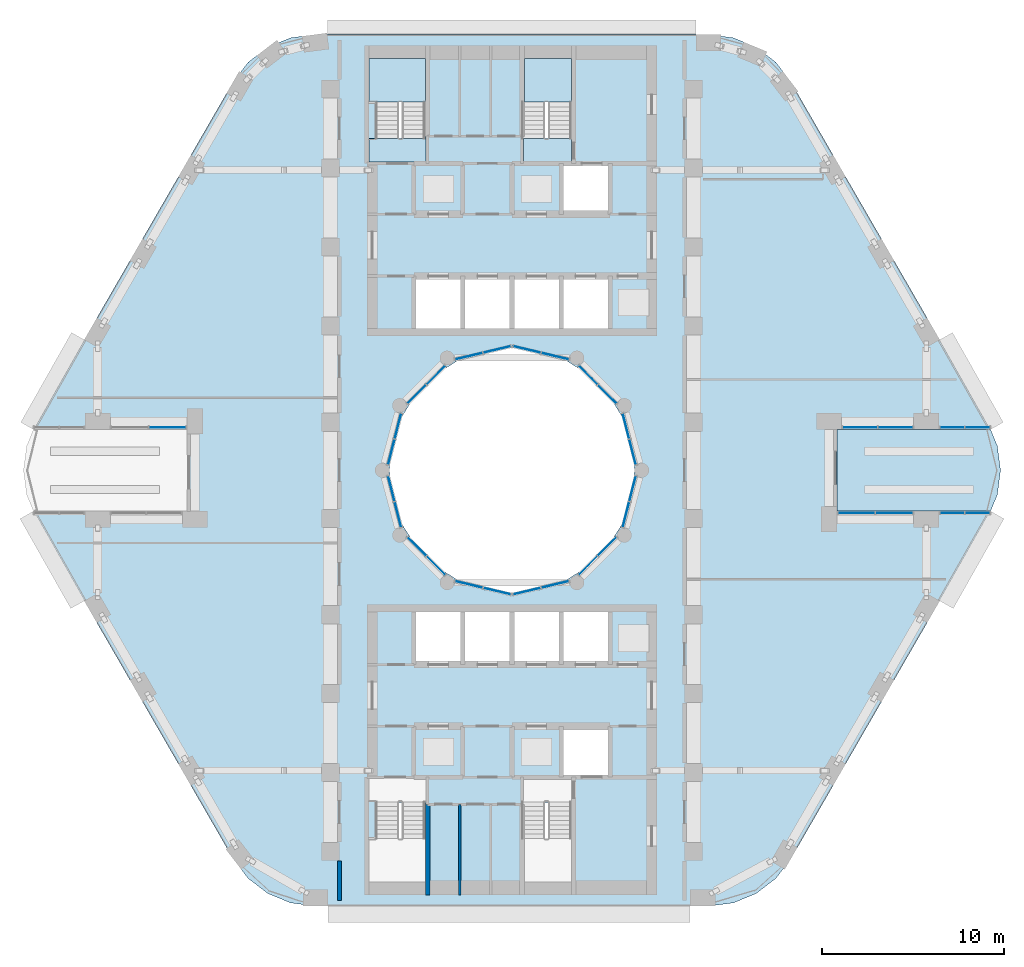
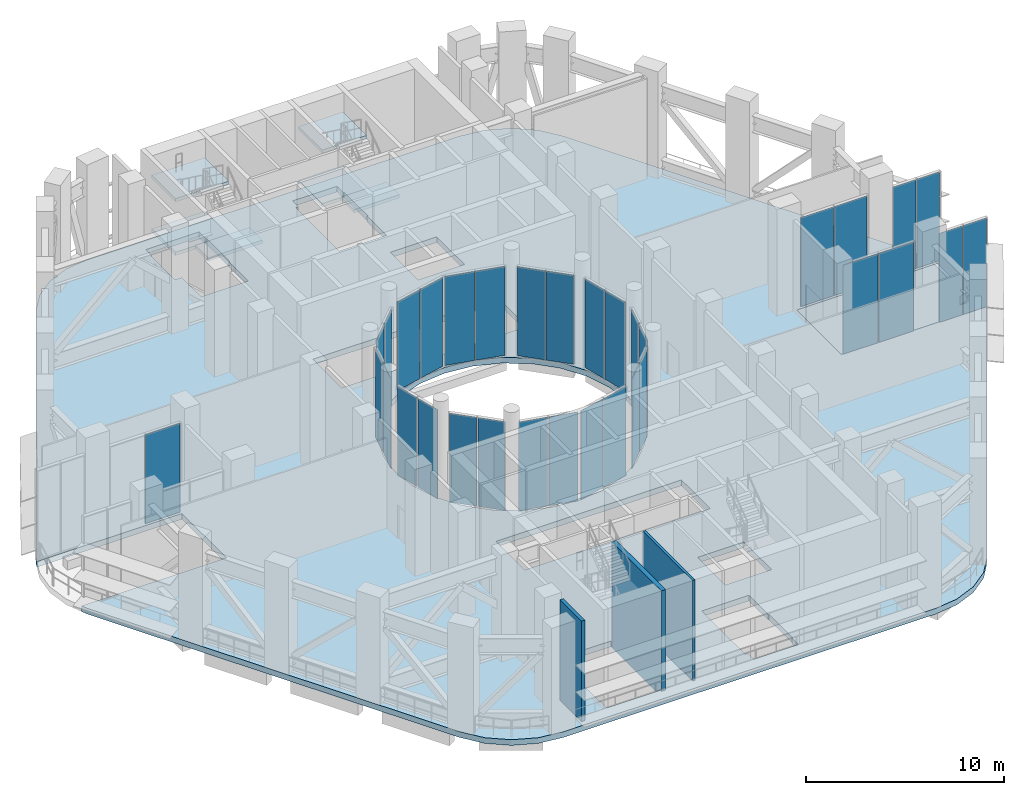
# One storey, part 7 of 21: 33 plates, 8 slabs, 3 walls, 19 elements without a shape of their own.
"""IFC4 building model written with IfcOpenShell, lengths in metres."""

from ifc_helpers import new_model, si_unit, direction, frame, frame_2d, origin, origin_2d, place, context, subcontext, project, spatial, polyline, rectangle, outline, extrude, material, layer, layer_set, type_object, element, aggregate, save


model = new_model("IFC4")

# Units and contexts
model_context = context("Model", 3, precision=1e-05, world=origin(), true_north=direction((0.0, 1.0)))
body_context = subcontext(model_context, "Body", "Model", "MODEL_VIEW")
ifc_project = project(units=[si_unit("LENGTHUNIT", "METRE"), si_unit("AREAUNIT", "SQUARE_METRE"), si_unit("VOLUMEUNIT", "CUBIC_METRE"), si_unit("PLANEANGLEUNIT", "RADIAN"), si_unit("MASSUNIT", "GRAM", prefix="KILO")], contexts=[model_context])

# Site, building, storey
site_placement = place(None, origin())
site = spatial("IfcSite", under=ifc_project, at=site_placement, CompositionType="ELEMENT")
building_placement = place(site_placement, origin())
building = spatial("IfcBuilding", under=site, at=building_placement, Name="Nakaniwa Court", CompositionType="ELEMENT")
storey_placement = place(building_placement, frame((0.0, 0.0, 120.60009765625)))
storey = spatial("IfcBuildingStorey", under=building, at=storey_placement, Name="S2", CompositionType="ELEMENT", Elevation=120.60009765625)

# Curtain wall, plates
ifc_material_1 = material(Name="Black anodised aluminium frame with dark low-E laminated double glazing", Category="aluminium")
ifc_layer_1 = layer(ifc_material_1, 0.199951171875)
ifc_layer_set_1 = layer_set([ifc_layer_1], Name="Black anodised aluminium frame with dark low-E laminated double glazing")
curtain_wall_type = type_object("IfcCurtainWallType", Name="Amenity and sky level curtain wall", PredefinedType="NOTDEFINED", material=ifc_layer_set_1)
curtain_wall_1_placement = place(storey_placement, origin())
curtain_wall_1 = element("IfcCurtainWall", 1, at=curtain_wall_1_placement, inside=storey, type_object=curtain_wall_type, Name="S2 curtain wall CW3 36", PredefinedType="NOTDEFINED")
ifc_material_2 = material(Name="Dark toughened glass", Category="glass")
ifc_layer_2 = layer(ifc_material_2, 0.006, Name="Outer pane")
ifc_material_3 = material(Name="Argon filled cavity")
ifc_layer_3 = layer(ifc_material_3, 0.016, Name="Cavity")
ifc_material_4 = material(Name="Dark laminated safety glass", Category="glass")
ifc_layer_4 = layer(ifc_material_4, 0.006, Name="Inner pane")
ifc_layer_set_2 = layer_set([ifc_layer_2, ifc_layer_3, ifc_layer_4], Name="Dark low-E laminated double glazing")
plate_type = type_object("IfcPlateType", Name="Amenity and sky level curtain wall glass panel", PredefinedType="CURTAIN_PANEL", material=ifc_layer_set_2)
plate_1_placement = place(storey_placement, frame((86.64697265625, 78.99365234375, 0.054931640625), z_axis=(0.0, 0.0, 1.0), x_axis=(-0.247113807661, -0.968986463302, 0.0)))
plate_1 = element("IfcPlate", 2, at=plate_1_placement, type_object=plate_type, Name="CW3 panel 1.1", PredefinedType="CURTAIN_PANEL", context=body_context, shape_type="SweptSolid", body=[
    extrude(rectangle(XDim=1.42236328125, YDim=0.028076171875, at=origin_2d()), origin(), (0.0, 0.0, 1.0), 5.47998046875),
])
plate_2_placement = place(storey_placement, frame((86.28173828125, 77.56201171875, 0.054931640625), z_axis=(0.0, 0.0, 1.0), x_axis=(-0.247113807661, -0.968986463302, 0.0)))
plate_2 = element("IfcPlate", 3, at=plate_2_placement, type_object=plate_type, Name="CW3 panel 2.1", PredefinedType="CURTAIN_PANEL", context=body_context, shape_type="SweptSolid", body=[
    extrude(rectangle(XDim=1.42236328125, YDim=0.028076171875, at=origin_2d()), origin(), (0.0, 0.0, 1.0), 5.47998046875),
])
aggregate(curtain_wall_1, [plate_1, plate_2])

curtain_wall_2_placement = place(storey_placement, origin())
curtain_wall_2 = element("IfcCurtainWall", 4, at=curtain_wall_2_placement, inside=storey, type_object=curtain_wall_type, Name="S2 curtain wall CW3 37", PredefinedType="NOTDEFINED")
plate_3_placement = place(storey_placement, frame((85.241943359375, 75.810791015625, 0.054931640625), z_axis=(0.0, 0.0, 1.0), x_axis=(-0.707106781187, -0.707106781187, 0.0)))
plate_3 = element("IfcPlate", 5, at=plate_3_placement, type_object=plate_type, Name="CW3 panel 1.1", PredefinedType="CURTAIN_PANEL", context=body_context, shape_type="SweptSolid", body=[
    extrude(rectangle(XDim=1.43408203125, YDim=0.028076171875, at=origin_2d()), origin(), (0.0, 0.0, 1.0), 5.47998046875),
])
plate_4_placement = place(storey_placement, frame((84.189208984375, 74.758056640625, 0.054931640625), z_axis=(0.0, 0.0, 1.0), x_axis=(-0.707106781187, -0.707106781187, 0.0)))
plate_4 = element("IfcPlate", 6, at=plate_4_placement, type_object=plate_type, Name="CW3 panel 2.1", PredefinedType="CURTAIN_PANEL", context=body_context, shape_type="SweptSolid", body=[
    extrude(rectangle(XDim=1.43408203125, YDim=0.028076171875, at=origin_2d()), origin(), (0.0, 0.0, 1.0), 5.47998046875),
])
aggregate(curtain_wall_2, [plate_3, plate_4])

curtain_wall_3_placement = place(storey_placement, origin())
curtain_wall_3 = element("IfcCurtainWall", 7, at=curtain_wall_3_placement, inside=storey, type_object=curtain_wall_type, Name="S2 curtain wall CW3 38", PredefinedType="NOTDEFINED")
plate_5_placement = place(storey_placement, frame((82.377685546875, 73.713623046875, 0.054931640625), z_axis=(0.0, 0.0, 1.0), x_axis=(-0.972765537081, -0.231791306712, 0.0)))
plate_5 = element("IfcPlate", 8, at=plate_5_placement, type_object=plate_type, Name="CW3 panel 1.1", PredefinedType="CURTAIN_PANEL", context=body_context, shape_type="SweptSolid", body=[
    extrude(rectangle(XDim=1.540283203125, YDim=0.028076171875, at=origin_2d()), origin(), (0.0, 0.0, 1.0), 5.47998046875),
])
plate_6_placement = place(storey_placement, frame((80.825927734375, 73.343994140625, 0.054931640625), z_axis=(0.0, 0.0, 1.0), x_axis=(-0.972765537081, -0.231791306712, 0.0)))
plate_6 = element("IfcPlate", 9, at=plate_6_placement, type_object=plate_type, Name="CW3 panel 2.1", PredefinedType="CURTAIN_PANEL", context=body_context, shape_type="SweptSolid", body=[
    extrude(rectangle(XDim=1.540283203125, YDim=0.028076171875, at=origin_2d()), origin(), (0.0, 0.0, 1.0), 5.47998046875),
])
aggregate(curtain_wall_3, [plate_5, plate_6])

curtain_wall_4_placement = place(storey_placement, origin())
curtain_wall_4 = element("IfcCurtainWall", 10, at=curtain_wall_4_placement, inside=storey, type_object=curtain_wall_type, Name="S2 curtain wall CW3 39", PredefinedType="NOTDEFINED")
plate_7_placement = place(storey_placement, frame((79.174072265625, 73.343994140625, 0.054931640625), z_axis=(0.0, 0.0, 1.0), x_axis=(-0.972765537081, 0.231791306712, 0.0)))
plate_7 = element("IfcPlate", 11, at=plate_7_placement, type_object=plate_type, Name="CW3 panel 1.1", PredefinedType="CURTAIN_PANEL", context=body_context, shape_type="SweptSolid", body=[
    extrude(rectangle(XDim=1.540283203125, YDim=0.028076171875, at=origin_2d()), origin(), (0.0, 0.0, 1.0), 5.47998046875),
])
plate_8_placement = place(storey_placement, frame((77.622314453125, 73.713623046875, 0.054931640625), z_axis=(0.0, 0.0, 1.0), x_axis=(-0.972765537081, 0.231791306712, 0.0)))
plate_8 = element("IfcPlate", 12, at=plate_8_placement, type_object=plate_type, Name="CW3 panel 2.1", PredefinedType="CURTAIN_PANEL", context=body_context, shape_type="SweptSolid", body=[
    extrude(rectangle(XDim=1.540283203125, YDim=0.028076171875, at=origin_2d()), origin(), (0.0, 0.0, 1.0), 5.47998046875),
])
aggregate(curtain_wall_4, [plate_7, plate_8])

curtain_wall_5_placement = place(storey_placement, origin())
curtain_wall_5 = element("IfcCurtainWall", 13, at=curtain_wall_5_placement, inside=storey, type_object=curtain_wall_type, Name="S2 curtain wall CW3 40", PredefinedType="NOTDEFINED")
plate_9_placement = place(storey_placement, frame((75.810791015625, 74.758056640625, 0.054931640625), z_axis=(0.0, 0.0, 1.0), x_axis=(-0.707106781187, 0.707106781187, 0.0)))
plate_9 = element("IfcPlate", 14, at=plate_9_placement, type_object=plate_type, Name="CW3 panel 1.1", PredefinedType="CURTAIN_PANEL", context=body_context, shape_type="SweptSolid", body=[
    extrude(rectangle(XDim=1.43408203125, YDim=0.028076171875, at=origin_2d()), origin(), (0.0, 0.0, 1.0), 5.47998046875),
])
plate_10_placement = place(storey_placement, frame((74.758056640625, 75.810791015625, 0.054931640625), z_axis=(0.0, 0.0, 1.0), x_axis=(-0.707106781187, 0.707106781187, 0.0)))
plate_10 = element("IfcPlate", 15, at=plate_10_placement, type_object=plate_type, Name="CW3 panel 2.1", PredefinedType="CURTAIN_PANEL", context=body_context, shape_type="SweptSolid", body=[
    extrude(rectangle(XDim=1.43408203125, YDim=0.028076171875, at=origin_2d()), origin(), (0.0, 0.0, 1.0), 5.47998046875),
])
aggregate(curtain_wall_5, [plate_9, plate_10])

curtain_wall_6_placement = place(storey_placement, origin())
curtain_wall_6 = element("IfcCurtainWall", 16, at=curtain_wall_6_placement, inside=storey, type_object=curtain_wall_type, Name="S2 curtain wall CW3 41", PredefinedType="NOTDEFINED")
plate_11_placement = place(storey_placement, frame((73.71826171875, 77.56201171875, 0.054931640625), z_axis=(0.0, 0.0, 1.0), x_axis=(-0.247113807661, 0.968986463302, 0.0)))
plate_11 = element("IfcPlate", 17, at=plate_11_placement, type_object=plate_type, Name="CW3 panel 1.1", PredefinedType="CURTAIN_PANEL", context=body_context, shape_type="SweptSolid", body=[
    extrude(rectangle(XDim=1.42236328125, YDim=0.028076171875, at=origin_2d()), origin(), (0.0, 0.0, 1.0), 5.47998046875),
])
plate_12_placement = place(storey_placement, frame((73.35302734375, 78.99365234375, 0.054931640625), z_axis=(0.0, 0.0, 1.0), x_axis=(-0.247113807661, 0.968986463302, 0.0)))
plate_12 = element("IfcPlate", 18, at=plate_12_placement, type_object=plate_type, Name="CW3 panel 2.1", PredefinedType="CURTAIN_PANEL", context=body_context, shape_type="SweptSolid", body=[
    extrude(rectangle(XDim=1.42236328125, YDim=0.028076171875, at=origin_2d()), origin(), (0.0, 0.0, 1.0), 5.47998046875),
])
aggregate(curtain_wall_6, [plate_11, plate_12])

curtain_wall_7_placement = place(storey_placement, origin())
curtain_wall_7 = element("IfcCurtainWall", 19, at=curtain_wall_7_placement, inside=storey, type_object=curtain_wall_type, Name="S2 curtain wall CW3 42", PredefinedType="NOTDEFINED")
plate_13_placement = place(storey_placement, frame((73.35302734375, 81.00634765625, 0.054931640625), z_axis=(0.0, 0.0, 1.0), x_axis=(0.247113807661, 0.968986463302, 0.0)))
plate_13 = element("IfcPlate", 20, at=plate_13_placement, type_object=plate_type, Name="CW3 panel 1.1", PredefinedType="CURTAIN_PANEL", context=body_context, shape_type="SweptSolid", body=[
    extrude(rectangle(XDim=1.42236328125, YDim=0.028076171875, at=origin_2d()), origin(), (0.0, 0.0, 1.0), 5.47998046875),
])
plate_14_placement = place(storey_placement, frame((73.71826171875, 82.43798828125, 0.054931640625), z_axis=(0.0, 0.0, 1.0), x_axis=(0.247113807661, 0.968986463302, 0.0)))
plate_14 = element("IfcPlate", 21, at=plate_14_placement, type_object=plate_type, Name="CW3 panel 2.1", PredefinedType="CURTAIN_PANEL", context=body_context, shape_type="SweptSolid", body=[
    extrude(rectangle(XDim=1.42236328125, YDim=0.028076171875, at=origin_2d()), origin(), (0.0, 0.0, 1.0), 5.47998046875),
])
aggregate(curtain_wall_7, [plate_13, plate_14])

curtain_wall_8_placement = place(storey_placement, origin())
curtain_wall_8 = element("IfcCurtainWall", 22, at=curtain_wall_8_placement, inside=storey, type_object=curtain_wall_type, Name="S2 curtain wall CW3 43", PredefinedType="NOTDEFINED")
plate_15_placement = place(storey_placement, frame((74.758056640625, 84.189208984375, 0.054931640625), z_axis=(0.0, 0.0, 1.0), x_axis=(0.707106781187, 0.707106781187, 0.0)))
plate_15 = element("IfcPlate", 23, at=plate_15_placement, type_object=plate_type, Name="CW3 panel 1.1", PredefinedType="CURTAIN_PANEL", context=body_context, shape_type="SweptSolid", body=[
    extrude(rectangle(XDim=1.43408203125, YDim=0.028076171875, at=origin_2d()), origin(), (0.0, 0.0, 1.0), 5.47998046875),
])
plate_16_placement = place(storey_placement, frame((75.810791015625, 85.241943359375, 0.054931640625), z_axis=(0.0, 0.0, 1.0), x_axis=(0.707106781187, 0.707106781187, 0.0)))
plate_16 = element("IfcPlate", 24, at=plate_16_placement, type_object=plate_type, Name="CW3 panel 2.1", PredefinedType="CURTAIN_PANEL", context=body_context, shape_type="SweptSolid", body=[
    extrude(rectangle(XDim=1.43408203125, YDim=0.028076171875, at=origin_2d()), origin(), (0.0, 0.0, 1.0), 5.47998046875),
])
aggregate(curtain_wall_8, [plate_15, plate_16])

curtain_wall_9_placement = place(storey_placement, origin())
curtain_wall_9 = element("IfcCurtainWall", 25, at=curtain_wall_9_placement, inside=storey, type_object=curtain_wall_type, Name="S2 curtain wall CW3 44", PredefinedType="NOTDEFINED")
plate_17_placement = place(storey_placement, frame((77.622314453125, 86.286376953125, 0.054931640625), z_axis=(0.0, 0.0, 1.0), x_axis=(0.972765537081, 0.231791306712, 0.0)))
plate_17 = element("IfcPlate", 26, at=plate_17_placement, type_object=plate_type, Name="CW3 panel 1.1", PredefinedType="CURTAIN_PANEL", context=body_context, shape_type="SweptSolid", body=[
    extrude(rectangle(XDim=1.540283203125, YDim=0.028076171875, at=origin_2d()), origin(), (0.0, 0.0, 1.0), 5.47998046875),
])
plate_18_placement = place(storey_placement, frame((79.174072265625, 86.656005859375, 0.054931640625), z_axis=(0.0, 0.0, 1.0), x_axis=(0.972765537081, 0.231791306712, 0.0)))
plate_18 = element("IfcPlate", 27, at=plate_18_placement, type_object=plate_type, Name="CW3 panel 2.1", PredefinedType="CURTAIN_PANEL", context=body_context, shape_type="SweptSolid", body=[
    extrude(rectangle(XDim=1.540283203125, YDim=0.028076171875, at=origin_2d()), origin(), (0.0, 0.0, 1.0), 5.47998046875),
])
aggregate(curtain_wall_9, [plate_17, plate_18])

curtain_wall_10_placement = place(storey_placement, origin())
curtain_wall_10 = element("IfcCurtainWall", 28, at=curtain_wall_10_placement, inside=storey, type_object=curtain_wall_type, Name="S2 curtain wall CW3 45", PredefinedType="NOTDEFINED")
plate_19_placement = place(storey_placement, frame((80.825927734375, 86.656005859375, 0.054931640625), z_axis=(0.0, 0.0, 1.0), x_axis=(0.972765537081, -0.231791306712, 0.0)))
plate_19 = element("IfcPlate", 29, at=plate_19_placement, type_object=plate_type, Name="CW3 panel 1.1", PredefinedType="CURTAIN_PANEL", context=body_context, shape_type="SweptSolid", body=[
    extrude(rectangle(XDim=1.540283203125, YDim=0.028076171875, at=origin_2d()), origin(), (0.0, 0.0, 1.0), 5.47998046875),
])
plate_20_placement = place(storey_placement, frame((82.377685546875, 86.286376953125, 0.054931640625), z_axis=(0.0, 0.0, 1.0), x_axis=(0.972765537081, -0.231791306712, 0.0)))
plate_20 = element("IfcPlate", 30, at=plate_20_placement, type_object=plate_type, Name="CW3 panel 2.1", PredefinedType="CURTAIN_PANEL", context=body_context, shape_type="SweptSolid", body=[
    extrude(rectangle(XDim=1.540283203125, YDim=0.028076171875, at=origin_2d()), origin(), (0.0, 0.0, 1.0), 5.47998046875),
])
aggregate(curtain_wall_10, [plate_19, plate_20])

curtain_wall_11_placement = place(storey_placement, origin())
curtain_wall_11 = element("IfcCurtainWall", 31, at=curtain_wall_11_placement, inside=storey, type_object=curtain_wall_type, Name="S2 curtain wall CW3 46", PredefinedType="NOTDEFINED")
plate_21_placement = place(storey_placement, frame((84.189208984375, 85.241943359375, 0.054931640625), z_axis=(0.0, 0.0, 1.0), x_axis=(0.707106781187, -0.707106781187, 0.0)))
plate_21 = element("IfcPlate", 32, at=plate_21_placement, type_object=plate_type, Name="CW3 panel 1.1", PredefinedType="CURTAIN_PANEL", context=body_context, shape_type="SweptSolid", body=[
    extrude(rectangle(XDim=1.43408203125, YDim=0.028076171875, at=origin_2d()), origin(), (0.0, 0.0, 1.0), 5.47998046875),
])
plate_22_placement = place(storey_placement, frame((85.241943359375, 84.189208984375, 0.054931640625), z_axis=(0.0, 0.0, 1.0), x_axis=(0.707106781187, -0.707106781187, 0.0)))
plate_22 = element("IfcPlate", 33, at=plate_22_placement, type_object=plate_type, Name="CW3 panel 2.1", PredefinedType="CURTAIN_PANEL", context=body_context, shape_type="SweptSolid", body=[
    extrude(rectangle(XDim=1.43408203125, YDim=0.028076171875, at=origin_2d()), origin(), (0.0, 0.0, 1.0), 5.47998046875),
])
aggregate(curtain_wall_11, [plate_21, plate_22])

curtain_wall_12_placement = place(storey_placement, origin())
curtain_wall_12 = element("IfcCurtainWall", 34, at=curtain_wall_12_placement, inside=storey, type_object=curtain_wall_type, Name="S2 curtain wall CW3 47", PredefinedType="NOTDEFINED")
plate_23_placement = place(storey_placement, frame((86.28173828125, 82.43798828125, 0.054931640625), z_axis=(0.0, 0.0, 1.0), x_axis=(0.247113807661, -0.968986463302, 0.0)))
plate_23 = element("IfcPlate", 35, at=plate_23_placement, type_object=plate_type, Name="CW3 panel 1.1", PredefinedType="CURTAIN_PANEL", context=body_context, shape_type="SweptSolid", body=[
    extrude(rectangle(XDim=1.42236328125, YDim=0.028076171875, at=origin_2d()), origin(), (0.0, 0.0, 1.0), 5.47998046875),
])
plate_24_placement = place(storey_placement, frame((86.64697265625, 81.00634765625, 0.054931640625), z_axis=(0.0, 0.0, 1.0), x_axis=(0.247113807661, -0.968986463302, 0.0)))
plate_24 = element("IfcPlate", 36, at=plate_24_placement, type_object=plate_type, Name="CW3 panel 2.1", PredefinedType="CURTAIN_PANEL", context=body_context, shape_type="SweptSolid", body=[
    extrude(rectangle(XDim=1.42236328125, YDim=0.028076171875, at=origin_2d()), origin(), (0.0, 0.0, 1.0), 5.47998046875),
])
aggregate(curtain_wall_12, [plate_23, plate_24])

# Curtain wall, plate
curtain_wall_13_placement = place(storey_placement, origin())
curtain_wall_13 = element("IfcCurtainWall", 37, at=curtain_wall_13_placement, inside=storey, type_object=curtain_wall_type, Name="S2 curtain wall CW3 16", PredefinedType="NOTDEFINED")
plate_25_placement = place(storey_placement, frame((61.026123046875, 82.35009765625, 0.054931640625), z_axis=(0.0, 0.0, 1.0), x_axis=(1.0, 0.0, 0.0)))
plate_25 = element("IfcPlate", 38, at=plate_25_placement, type_object=plate_type, Name="CW3 panel 2.1", PredefinedType="CURTAIN_PANEL", context=body_context, shape_type="SweptSolid", body=[
    extrude(rectangle(XDim=2.02880859375, YDim=0.028076171875, at=origin_2d()), origin(), (0.0, 0.0, 1.0), 5.47998046875),
])
aggregate(curtain_wall_13, [plate_25])

# Curtain wall, plates
curtain_wall_14_placement = place(storey_placement, origin())
curtain_wall_14 = element("IfcCurtainWall", 39, at=curtain_wall_14_placement, inside=storey, type_object=curtain_wall_type, Name="S2 curtain wall CW3 00", PredefinedType="NOTDEFINED")
plate_26_placement = place(storey_placement, frame((99.161376953125, 82.35009765625, 0.054931640625), z_axis=(0.0, 0.0, 1.0), x_axis=(1.0, 0.0, 0.0)))
plate_26 = element("IfcPlate", 40, at=plate_26_placement, type_object=plate_type, Name="CW3 panel 1.1", PredefinedType="CURTAIN_PANEL", context=body_context, shape_type="SweptSolid", body=[
    extrude(rectangle(XDim=1.90380859375, YDim=0.028076171875, at=origin_2d()), origin(), (0.0, 0.0, 1.0), 5.47998046875),
])
plate_27_placement = place(storey_placement, frame((101.1201171875, 82.35009765625, 0.054931640625), z_axis=(0.0, 0.0, 1.0), x_axis=(1.0, 0.0, 0.0)))
plate_27 = element("IfcPlate", 41, at=plate_27_placement, type_object=plate_type, Name="CW3 panel 2.1", PredefinedType="CURTAIN_PANEL", context=body_context, shape_type="SweptSolid", body=[
    extrude(rectangle(XDim=1.90380859375, YDim=0.028076171875, at=origin_2d()), origin(), (0.0, 0.0, 1.0), 5.47998046875),
])
aggregate(curtain_wall_14, [plate_26, plate_27])

curtain_wall_15_placement = place(storey_placement, origin())
curtain_wall_15 = element("IfcCurtainWall", 42, at=curtain_wall_15_placement, inside=storey, type_object=curtain_wall_type, Name="S2 curtain wall CW3 01", PredefinedType="NOTDEFINED")
plate_28_placement = place(storey_placement, frame((104.2421875, 82.35009765625, 0.054931640625), z_axis=(0.0, 0.0, 1.0), x_axis=(1.0, 0.0, 0.0)))
plate_28 = element("IfcPlate", 43, at=plate_28_placement, type_object=plate_type, Name="CW3 panel 1.1", PredefinedType="CURTAIN_PANEL", context=body_context, shape_type="SweptSolid", body=[
    extrude(rectangle(XDim=1.33642578125, YDim=0.028076171875, at=origin_2d()), origin(), (0.0, 0.0, 1.0), 5.47998046875),
])
plate_29_placement = place(storey_placement, frame((105.633544921875, 82.35009765625, 0.054931640625), z_axis=(0.0, 0.0, 1.0), x_axis=(1.0, 0.0, 0.0)))
plate_29 = element("IfcPlate", 44, at=plate_29_placement, type_object=plate_type, Name="CW3 panel 2.1", PredefinedType="CURTAIN_PANEL", context=body_context, shape_type="SweptSolid", body=[
    extrude(rectangle(XDim=1.33642578125, YDim=0.028076171875, at=origin_2d()), origin(), (0.0, 0.0, 1.0), 5.47998046875),
])
aggregate(curtain_wall_15, [plate_28, plate_29])

curtain_wall_16_placement = place(storey_placement, origin())
curtain_wall_16 = element("IfcCurtainWall", 45, at=curtain_wall_16_placement, inside=storey, type_object=curtain_wall_type, Name="S2 curtain wall CW3 33", PredefinedType="NOTDEFINED")
plate_30_placement = place(storey_placement, frame((105.633544921875, 77.64990234375, 0.054931640625), z_axis=(0.0, 0.0, 1.0), x_axis=(-1.0, 0.0, 0.0)))
plate_30 = element("IfcPlate", 46, at=plate_30_placement, type_object=plate_type, Name="CW3 panel 1.1", PredefinedType="CURTAIN_PANEL", context=body_context, shape_type="SweptSolid", body=[
    extrude(rectangle(XDim=1.33642578125, YDim=0.028076171875, at=origin_2d()), origin(), (0.0, 0.0, 1.0), 5.47998046875),
])
plate_31_placement = place(storey_placement, frame((104.2421875, 77.64990234375, 0.054931640625), z_axis=(0.0, 0.0, 1.0), x_axis=(-1.0, 0.0, 0.0)))
plate_31 = element("IfcPlate", 47, at=plate_31_placement, type_object=plate_type, Name="CW3 panel 2.1", PredefinedType="CURTAIN_PANEL", context=body_context, shape_type="SweptSolid", body=[
    extrude(rectangle(XDim=1.33642578125, YDim=0.028076171875, at=origin_2d()), origin(), (0.0, 0.0, 1.0), 5.47998046875),
])
aggregate(curtain_wall_16, [plate_30, plate_31])

curtain_wall_17_placement = place(storey_placement, origin())
curtain_wall_17 = element("IfcCurtainWall", 48, at=curtain_wall_17_placement, inside=storey, type_object=curtain_wall_type, Name="S2 curtain wall CW3 34", PredefinedType="NOTDEFINED")
plate_32_placement = place(storey_placement, frame((101.0576171875, 77.64990234375, 0.054931640625), z_axis=(0.0, 0.0, 1.0), x_axis=(-1.0, 0.0, 0.0)))
plate_32 = element("IfcPlate", 49, at=plate_32_placement, type_object=plate_type, Name="CW3 panel 1.1", PredefinedType="CURTAIN_PANEL", context=body_context, shape_type="SweptSolid", body=[
    extrude(rectangle(XDim=2.02880859375, YDim=0.028076171875, at=origin_2d()), origin(), (0.0, 0.0, 1.0), 5.47998046875),
])
plate_33_placement = place(storey_placement, frame((98.973876953125, 77.64990234375, 0.054931640625), z_axis=(0.0, 0.0, 1.0), x_axis=(-1.0, 0.0, 0.0)))
plate_33 = element("IfcPlate", 50, at=plate_33_placement, type_object=plate_type, Name="CW3 panel 2.1", PredefinedType="CURTAIN_PANEL", context=body_context, shape_type="SweptSolid", body=[
    extrude(rectangle(XDim=2.02880859375, YDim=0.028076171875, at=origin_2d()), origin(), (0.0, 0.0, 1.0), 5.47998046875),
])
aggregate(curtain_wall_17, [plate_32, plate_33])

# Slabs
ifc_material_5 = material(Name="Concrete C80/100", Category="concrete")
ifc_layer_5 = layer(ifc_material_5, 0.35009765625)
ifc_layer_set_3 = layer_set([ifc_layer_5], Name="Concrete C80/100")
slab_type_1 = type_object("IfcSlabType", Name="Concrete C80/100 post tensioned floor slab 350", PredefinedType="FLOOR", material=ifc_layer_set_3)
slab_1_placement = place(storey_placement, frame((0.0, 0.0, -0.35009765625)))
element("IfcSlab", 51, at=slab_1_placement, inside=storey, type_object=slab_type_1, Name="FLOOR SLAB", PredefinedType="FLOOR", context=body_context, shape_type="SweptSolid", body=[
    extrude(outline(polyline([(97.908447265625, 82.25), (106.356689453125, 82.25), (106.211669921875, 82.60009765625), (95.357421875, 101.39990234375), (94.531005859375, 102.47705078125), (93.4541015625, 103.30322265625), (92.199951171875, 103.82275390625), (90.854248046875, 104.0), (69.145751953125, 104.0), (67.800048828125, 103.82275390625), (66.5458984375, 103.30322265625), (65.468994140625, 102.47705078125), (64.642578125, 101.39990234375), (53.788330078125, 82.60009765625), (53.643310546875, 82.25), (62.091552734375, 82.25), (62.091552734375, 77.75), (53.643310546875, 77.75), (53.788330078125, 77.39990234375), (64.642578125, 58.60009765625), (65.468994140625, 57.52294921875), (66.5458984375, 56.69677734375), (67.800048828125, 56.17724609375), (69.145751953125, 56.0), (90.854248046875, 56.0), (92.199951171875, 56.17724609375), (93.4541015625, 56.69677734375), (94.531005859375, 57.52294921875), (95.357421875, 58.60009765625), (106.211669921875, 77.39990234375), (106.356689453125, 77.75), (97.908447265625, 77.75), (97.908447265625, 82.25)]), holes=[polyline([(81.501953125, 86.580810546875), (80.0, 86.75), (78.498046875, 86.580810546875), (77.0712890625, 86.08154296875), (75.79150390625, 85.27734375), (74.72265625, 84.20849609375), (73.91845703125, 82.9287109375), (73.419189453125, 81.501953125), (73.25, 80.0), (73.419189453125, 78.498046875), (73.91845703125, 77.0712890625), (74.72265625, 75.79150390625), (75.79150390625, 74.72265625), (77.0712890625, 73.91845703125), (78.498046875, 73.419189453125), (80.0, 73.25), (81.501953125, 73.419189453125), (82.9287109375, 73.91845703125), (84.20849609375, 74.72265625), (85.27734375, 75.79150390625), (86.08154296875, 77.0712890625), (86.580810546875, 78.498046875), (86.75, 80.0), (86.580810546875, 81.501953125), (86.08154296875, 82.9287109375), (85.27734375, 84.20849609375), (84.20849609375, 85.27734375), (82.9287109375, 86.08154296875), (81.501953125, 86.580810546875)]), polyline([(75.264892578125, 57.360107421875), (75.264892578125, 59.764892578125), (75.22509765625, 59.764892578125), (75.22509765625, 61.7099609375), (72.47509765625, 61.7099609375), (72.47509765625, 59.764892578125), (72.0849609375, 59.764892578125), (72.0849609375, 57.360107421875), (72.125, 57.360107421875), (72.125, 56.72509765625), (75.22509765625, 56.72509765625), (75.22509765625, 57.324951171875), (75.22509765625, 57.360107421875), (75.264892578125, 57.360107421875)]), polyline([(80.0, 69.300048828125), (82.699951171875, 69.300048828125), (85.39990234375, 69.300048828125), (85.39990234375, 72.199951171875), (82.699951171875, 72.199951171875), (80.0, 72.199951171875), (77.300048828125, 72.199951171875), (74.60009765625, 72.199951171875), (74.60009765625, 69.300048828125), (77.300048828125, 69.300048828125), (80.0, 69.300048828125)]), polyline([(80.0, 87.800048828125), (82.699951171875, 87.800048828125), (85.39990234375, 87.800048828125), (85.39990234375, 90.699951171875), (82.699951171875, 90.699951171875), (80.0, 90.699951171875), (77.300048828125, 90.699951171875), (74.60009765625, 90.699951171875), (74.60009765625, 87.800048828125), (77.300048828125, 87.800048828125), (80.0, 87.800048828125)]), polyline([(75.264892578125, 100.235107421875), (75.264892578125, 102.639892578125), (75.22509765625, 102.639892578125), (75.22509765625, 102.675048828125), (75.22509765625, 103.27490234375), (72.125, 103.27490234375), (72.125, 102.639892578125), (72.0849609375, 102.639892578125), (72.0849609375, 100.235107421875), (72.47509765625, 100.235107421875), (72.47509765625, 98.2900390625), (75.22509765625, 98.2900390625), (75.22509765625, 100.235107421875), (75.264892578125, 100.235107421875)]), polyline([(83.27490234375, 61.7099609375), (80.52490234375, 61.7099609375), (80.52490234375, 57.324951171875), (80.675048828125, 57.324951171875), (80.675048828125, 56.72509765625), (83.27490234375, 56.72509765625), (83.27490234375, 57.324951171875), (83.27490234375, 57.360107421875), (83.31494140625, 57.360107421875), (83.31494140625, 59.764892578125), (83.27490234375, 59.764892578125), (83.27490234375, 61.7099609375)]), polyline([(85.39990234375, 65.89990234375), (82.699951171875, 65.89990234375), (82.699951171875, 63.10009765625), (85.39990234375, 63.10009765625), (85.39990234375, 65.89990234375)]), polyline([(85.39990234375, 96.89990234375), (82.699951171875, 96.89990234375), (82.699951171875, 94.10009765625), (85.39990234375, 94.10009765625), (85.39990234375, 96.89990234375)]), polyline([(83.27490234375, 100.235107421875), (83.31494140625, 100.235107421875), (83.31494140625, 102.639892578125), (83.27490234375, 102.639892578125), (83.27490234375, 102.675048828125), (83.27490234375, 103.27490234375), (80.675048828125, 103.27490234375), (80.675048828125, 102.675048828125), (80.52490234375, 102.675048828125), (80.52490234375, 98.2900390625), (83.27490234375, 98.2900390625), (83.27490234375, 100.235107421875)])]), origin(), (0.0, 0.0, 1.0), 0.35009765625),
])
slab_2_placement = place(storey_placement, frame((0.0, 0.0, -0.35009765625)))
element("IfcSlab", 52, at=slab_2_placement, inside=storey, type_object=slab_type_1, Name="BRIDGING TERRACE", PredefinedType="FLOOR", context=body_context, shape_type="SweptSolid", body=[
    extrude(outline(polyline([(97.908447265625, 77.75), (106.356689453125, 77.75), (106.731201171875, 78.654052734375), (106.908447265625, 80.0), (106.731201171875, 81.345947265625), (106.356689453125, 82.25), (97.908447265625, 82.25), (97.908447265625, 77.75)])), origin(), (0.0, 0.0, 1.0), 0.35009765625),
])

# Stair, slabs
stair_type = type_object("IfcStairType", Name="Dog leg stair 1300 wide 36 risers", PredefinedType="HALF_TURN_STAIR", material=ifc_material_5)
stair_1_placement = place(storey_placement, origin())
stair_1 = element("IfcStair", 53, at=stair_1_placement, inside=storey, type_object=stair_type, Name="S2 Stair ST1", PredefinedType="HALF_TURN_STAIR")
ifc_layer_6 = layer(ifc_material_5, 0.199951171875)
ifc_layer_set_4 = layer_set([ifc_layer_6], Name="Concrete C80/100")
slab_type_2 = type_object("IfcSlabType", Name="Stair landing concrete", PredefinedType="LANDING", material=ifc_layer_set_4)
slab_3_placement = place(storey_placement, frame((0.0, 0.0, 1.449951171875)))
slab_3 = element("IfcSlab", 54, at=slab_3_placement, type_object=slab_type_2, Name="ST1 landing 1", PredefinedType="LANDING", context=body_context, shape_type="SweptSolid", body=[
    extrude(outline(polyline([(75.22509765625, 100.27490234375), (75.22509765625, 102.675048828125), (72.125, 102.675048828125), (72.125, 100.27490234375), (75.22509765625, 100.27490234375)])), origin(), (0.0, 0.0, 1.0), 0.199951171875),
])
slab_4_placement = place(storey_placement, frame((0.0, 0.0, 3.099853515625)))
slab_4 = element("IfcSlab", 55, at=slab_4_placement, type_object=slab_type_2, Name="ST1 landing 2", PredefinedType="LANDING", context=body_context, shape_type="SweptSolid", body=[
    extrude(outline(polyline([(75.27490234375, 96.97509765625), (75.27490234375, 98.27490234375), (72.125, 98.27490234375), (72.125, 96.97509765625), (75.27490234375, 96.97509765625)])), origin(), (0.0, 0.0, 1.0), 0.199951171875),
])
slab_5_placement = place(storey_placement, frame((0.0, 0.0, 4.75)))
slab_5 = element("IfcSlab", 56, at=slab_5_placement, type_object=slab_type_2, Name="ST1 landing 3", PredefinedType="LANDING", context=body_context, shape_type="SweptSolid", body=[
    extrude(outline(polyline([(75.22509765625, 100.27490234375), (75.22509765625, 102.675048828125), (72.125, 102.675048828125), (72.125, 100.27490234375), (75.22509765625, 100.27490234375)])), origin(), (0.0, 0.0, 1.0), 0.199951171875),
])
aggregate(stair_1, [slab_3, slab_4, slab_5])

stair_2_placement = place(storey_placement, origin())
stair_2 = element("IfcStair", 57, at=stair_2_placement, inside=storey, type_object=stair_type, Name="S2 Stair ST2", PredefinedType="HALF_TURN_STAIR")
slab_6_placement = place(storey_placement, frame((0.0, 0.0, 1.449951171875)))
slab_6 = element("IfcSlab", 58, at=slab_6_placement, type_object=slab_type_2, Name="ST2 landing 1", PredefinedType="LANDING", context=body_context, shape_type="SweptSolid", body=[
    extrude(outline(polyline([(83.27490234375, 100.27490234375), (83.27490234375, 102.675048828125), (80.675048828125, 102.675048828125), (80.675048828125, 100.27490234375), (83.27490234375, 100.27490234375)])), origin(), (0.0, 0.0, 1.0), 0.199951171875),
])
slab_7_placement = place(storey_placement, frame((0.0, 0.0, 3.099853515625)))
slab_7 = element("IfcSlab", 59, at=slab_7_placement, type_object=slab_type_2, Name="ST2 landing 2", PredefinedType="LANDING", context=body_context, shape_type="SweptSolid", body=[
    extrude(outline(polyline([(83.27490234375, 96.97509765625), (83.27490234375, 98.27490234375), (80.625, 98.27490234375), (80.625, 96.97509765625), (83.27490234375, 96.97509765625)])), origin(), (0.0, 0.0, 1.0), 0.199951171875),
])
slab_8_placement = place(storey_placement, frame((0.0, 0.0, 4.75)))
slab_8 = element("IfcSlab", 60, at=slab_8_placement, type_object=slab_type_2, Name="ST2 landing 3", PredefinedType="LANDING", context=body_context, shape_type="SweptSolid", body=[
    extrude(outline(polyline([(83.27490234375, 100.27490234375), (83.27490234375, 102.675048828125), (80.675048828125, 102.675048828125), (80.675048828125, 100.27490234375), (83.27490234375, 100.27490234375)])), origin(), (0.0, 0.0, 1.0), 0.199951171875),
])
aggregate(stair_2, [slab_6, slab_7, slab_8])

# Walls
ifc_material_6 = material(Name="Acoustic double stud partition")
ifc_layer_7 = layer(ifc_material_6, 0.199951171875)
ifc_layer_set_5 = layer_set([ifc_layer_7], Name="Acoustic double stud partition")
wall_type_1 = type_object("IfcWallType", Name="Acoustic double stud partition 200", PredefinedType="PARTITIONING", material=ifc_layer_set_5)
wall_1_placement = place(storey_placement, frame((70.5, 56.300048828125, 0.0), z_axis=(0.0, 0.0, 1.0), x_axis=(0.0, 1.0, 0.0)))
element("IfcWall", 61, at=wall_1_placement, inside=storey, type_object=wall_type_1, Name="Partition PW-078", PredefinedType="PARTITIONING", context=body_context, shape_type="SweptSolid", body=[
    extrude(rectangle(XDim=2.182861328125, YDim=0.199951171875, at=frame_2d((1.09130859375, 0.0))), origin(), (0.0, 0.0, 1.0), 6.18994140625),
])
ifc_material_7 = material(Name="Blockwork partition", Category="masonry")
ifc_layer_8 = layer(ifc_material_7, 0.14990234375)
ifc_layer_set_6 = layer_set([ifc_layer_8], Name="Blockwork partition")
wall_type_2 = type_object("IfcWallType", Name="Blockwork partition 150", PredefinedType="PARTITIONING", material=ifc_layer_set_6)
wall_2_placement = place(storey_placement, frame((77.117919921875, 56.60009765625, 0.0), z_axis=(0.0, 0.0, 1.0), x_axis=(0.0, 1.0, 0.0)))
element("IfcWall", 62, at=wall_2_placement, inside=storey, type_object=wall_type_2, Name="Partition PW-063", PredefinedType="PARTITIONING", context=body_context, shape_type="SweptSolid", body=[
    extrude(rectangle(XDim=5.0, YDim=0.14990234375, at=frame_2d((2.5, 0.0))), origin(), (0.0, 0.0, 1.0), 6.18994140625),
])
ifc_layer_9 = layer(ifc_material_5, 0.25)
ifc_layer_set_7 = layer_set([ifc_layer_9], Name="Concrete C80/100")
wall_type_3 = type_object("IfcWallType", Name="Concrete shaft wall 250 C80", PredefinedType="SHEAR", material=ifc_layer_set_7)
wall_3_placement = place(storey_placement, frame((75.35009765625, 56.60009765625, -0.35009765625), z_axis=(0.0, 0.0, 1.0), x_axis=(0.0, 1.0, 0.0)))
element("IfcWall", 63, at=wall_3_placement, inside=storey, type_object=wall_type_3, Name="Core wall SW-57", PredefinedType="SHEAR", context=body_context, shape_type="SweptSolid", body=[
    extrude(rectangle(XDim=5.0029296875, YDim=0.25, at=frame_2d((2.50146484375, 0.0))), origin(), (0.0, 0.0, 1.0), 6.5400390625),
])

save(model, "model.ifc")
